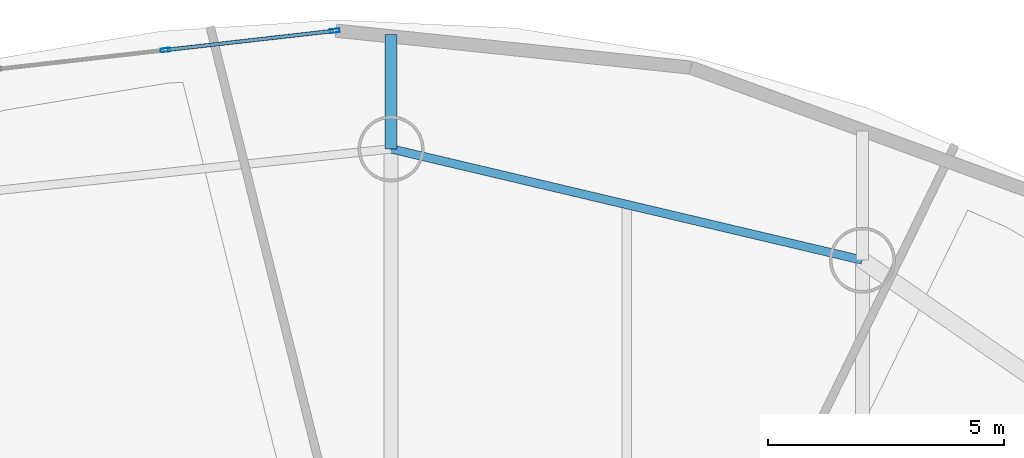
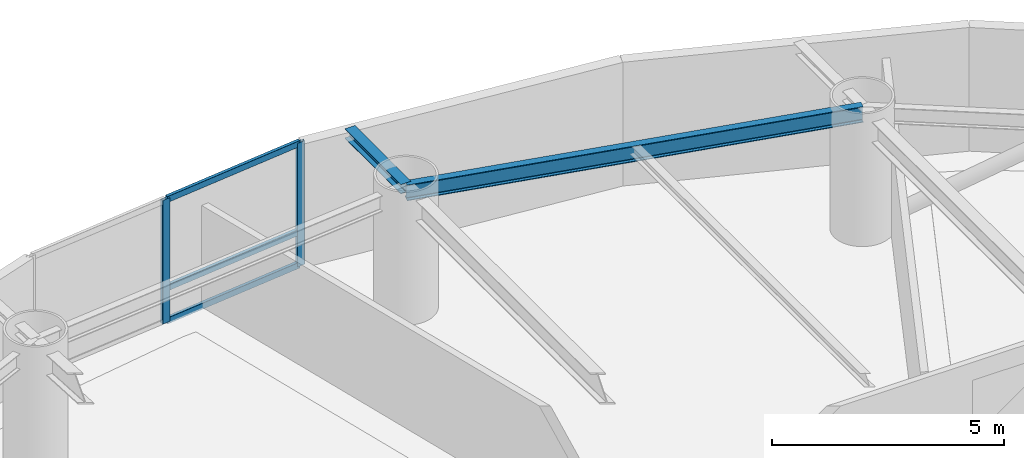
# One storey, part 13 of 22: 5 members, 2 beams, 1 element without a shape of its own.
"""IFC4 building model written with IfcOpenShell, lengths in metres."""

from ifc_helpers import new_model, si_unit, direction, frame, origin, origin_2d, place, context, subcontext, project, spatial, hollow_rectangle, i_section, extrude, material, layer, layer_set, material_profile, profile_set, type_object, element, aggregate, save


model = new_model("IFC4")

# Units and contexts
model_context = context("Model", 3, precision=1e-05, world=origin(), true_north=direction((0.0, 1.0)))
body_context = subcontext(model_context, "Body", "Model", "MODEL_VIEW")
ifc_project = project(units=[si_unit("LENGTHUNIT", "METRE"), si_unit("AREAUNIT", "SQUARE_METRE"), si_unit("VOLUMEUNIT", "CUBIC_METRE"), si_unit("PLANEANGLEUNIT", "RADIAN"), si_unit("MASSUNIT", "GRAM", prefix="KILO")], contexts=[model_context])

# Site, building, storey
site_placement = place(None, origin())
site = spatial("IfcSite", under=ifc_project, at=site_placement, CompositionType="ELEMENT")
building_placement = place(site_placement, origin())
building = spatial("IfcBuilding", under=site, at=building_placement, Name="Bramvorn Convention Spire", CompositionType="ELEMENT")
storey_placement = place(building_placement, frame((0.0, 0.0, 141.300048828125)))
storey = spatial("IfcBuildingStorey", under=building, at=storey_placement, Name="L35", CompositionType="ELEMENT", Elevation=141.300048828125)

# Beams
ifc_material_1 = material(Name="Steel CSA G40.21 Grade 350 (350W)", Category="steel")
ifc_material_profile_1 = material_profile(ifc_material_1, i_section(OverallWidth=0.25390625, OverallDepth=0.2529296875, WebThickness=0.008544921875, FlangeThickness=0.01416015625, FilletRadius=0.011962890625, at=origin_2d()))
ifc_profile_set_1 = profile_set([ifc_material_profile_1], Name="Steel CSA G40.21 Grade 350 (350W) - W250X73")
beam_type_1 = type_object("IfcBeamType", Name="BM-W250X73", PredefinedType="BEAM", material=ifc_profile_set_1)
beam_1_placement = place(storey_placement, frame((36.075927734375, 46.517333984375, 3.133544921875), z_axis=(0.0, 1.0, 0.0), x_axis=(-1.0, 0.0, 0.0)))
element("IfcBeam", 1, at=beam_1_placement, inside=storey, type_object=beam_type_1, Name="L35 slab-edge cantilever tip beam MC06", PredefinedType="BEAM", context=body_context, shape_type="SweptSolid", body=[
    extrude(i_section(OverallWidth=0.25390625, OverallDepth=0.2529296875, WebThickness=0.008544921875, FlangeThickness=0.01416015625, FilletRadius=0.011962890625, at=origin_2d()), origin(), (0.0, 0.0, 1.0), 2.423095703125),
])
ifc_material_profile_2 = material_profile(ifc_material_1, i_section(OverallWidth=0.180908203125, OverallDepth=0.4169921875, WebThickness=0.010986328125, FlangeThickness=0.018310546875, FilletRadius=0.01611328125, at=origin_2d()))
ifc_profile_set_2 = profile_set([ifc_material_profile_2], Name="Steel CSA G40.21 Grade 350 (350W) - W410X85")
beam_type_2 = type_object("IfcBeamType", Name="BM-W410X85", PredefinedType="JOIST", material=ifc_profile_set_2)
beam_2_placement = place(storey_placement, frame((46.082763671875, 44.154052734375, 3.051513671875), z_axis=(-0.97322750491, 0.229843911572, 0.0), x_axis=(-0.229843911572, -0.97322750491, 0.0)))
element("IfcBeam", 2, at=beam_2_placement, inside=storey, type_object=beam_type_2, Name="L35 mega-column ring beam 05", PredefinedType="JOIST", context=body_context, shape_type="SweptSolid", body=[
    extrude(i_section(OverallWidth=0.180908203125, OverallDepth=0.4169921875, WebThickness=0.010986328125, FlangeThickness=0.018310546875, FilletRadius=0.01611328125, at=origin_2d()), origin(), (0.0, 0.0, 1.0), 10.2822265625),
])

# Curtain wall, members
ifc_material_2 = material(Name="Anodised Bronze Unitised Curtain Wall", Category="aluminium")
ifc_layer = layer(ifc_material_2, 0.179931640625)
ifc_layer_set = layer_set([ifc_layer], Name="Anodised Bronze Unitised Curtain Wall - CW-HTL-FRIT")
curtain_wall_type = type_object("IfcCurtainWallType", Name="CW-HTL-FRIT", PredefinedType="USERDEFINED", material=ifc_layer_set)
curtain_wall_placement = place(storey_placement, origin())
curtain_wall = element("IfcCurtainWall", 3, at=curtain_wall_placement, inside=storey, type_object=curtain_wall_type, Name="L35 fritted glass curtain wall 09", ObjectType="UNITISED CURTAIN WALL", PredefinedType="USERDEFINED")
ifc_material_3 = material(Name="Anodised Bronze Aluminium 6063-T6", Category="aluminium")
ifc_material_profile_3 = material_profile(ifc_material_3, hollow_rectangle(XDim=0.080078125, YDim=0.199951171875, WallThickness=0.00390625, InnerFilletRadius=0.0009765625, OuterFilletRadius=0.00390625, at=origin_2d()))
ifc_profile_set_3 = profile_set([ifc_material_profile_3], Name="Anodised Bronze Aluminium 6063-T6 - CWM80X200")
member_type_1 = type_object("IfcMemberType", Name="CW-MUL-180", PredefinedType="MULLION", material=ifc_profile_set_3)
member_1_placement = place(storey_placement, frame((31.287109375, 48.615234375, 0.0), z_axis=(0.0, 0.0, 1.0), x_axis=(-0.112770294972, 0.993621085008, 0.0)))
member_1 = element("IfcMember", 4, at=member_1_placement, type_object=member_type_1, Name="CW2 mullion 2", PredefinedType="MULLION", context=body_context, shape_type="SweptSolid", body=[
    extrude(hollow_rectangle(XDim=0.080078125, YDim=0.199951171875, WallThickness=0.00390625, InnerFilletRadius=0.0009765625, OuterFilletRadius=0.00390625, at=origin_2d()), origin(), (0.0, 0.0, 1.0), 3.260009765625),
])
member_2_placement = place(storey_placement, frame((34.8798828125, 49.02294921875, 0.0), z_axis=(0.0, 0.0, 1.0), x_axis=(-0.112770294972, 0.993621085008, 0.0)))
member_2 = element("IfcMember", 5, at=member_2_placement, type_object=member_type_1, Name="CW2 mullion 3", PredefinedType="MULLION", context=body_context, shape_type="SweptSolid", body=[
    extrude(hollow_rectangle(XDim=0.080078125, YDim=0.199951171875, WallThickness=0.00390625, InnerFilletRadius=0.0009765625, OuterFilletRadius=0.00390625, at=origin_2d()), origin(), (0.0, 0.0, 1.0), 3.260009765625),
])
ifc_material_profile_4 = material_profile(ifc_material_3, hollow_rectangle(XDim=0.080078125, YDim=0.159912109375, WallThickness=0.00390625, InnerFilletRadius=0.0009765625, OuterFilletRadius=0.00390625, at=origin_2d()))
ifc_profile_set_4 = profile_set([ifc_material_profile_4], Name="Anodised Bronze Aluminium 6063-T6 - CWT80X160")
member_type_2 = type_object("IfcMemberType", Name="CW-TRN-150", PredefinedType="USERDEFINED", material=ifc_profile_set_4)
member_3_placement = place(storey_placement, frame((31.31689453125, 48.61865234375, 0.030029296875), z_axis=(0.993624846501, 0.112737147454, 0.0), x_axis=(-0.112737147454, 0.993624846501, 0.0)))
member_3 = element("IfcMember", 6, at=member_3_placement, type_object=member_type_2, Name="CW2 transom 2.1", ObjectType="TRANSOM", PredefinedType="USERDEFINED", context=body_context, shape_type="SweptSolid", body=[
    extrude(hollow_rectangle(XDim=0.080078125, YDim=0.159912109375, WallThickness=0.00390625, InnerFilletRadius=0.0009765625, OuterFilletRadius=0.00390625, at=origin_2d()), origin(), (0.0, 0.0, 1.0), 3.555908203125),
])
member_4_placement = place(storey_placement, frame((31.31689453125, 48.61865234375, 0.89990234375), z_axis=(0.993624846501, 0.112737147454, 0.0), x_axis=(-0.112737147454, 0.993624846501, 0.0)))
member_4 = element("IfcMember", 7, at=member_4_placement, type_object=member_type_2, Name="CW2 transom 2.2", ObjectType="TRANSOM", PredefinedType="USERDEFINED", context=body_context, shape_type="SweptSolid", body=[
    extrude(hollow_rectangle(XDim=0.080078125, YDim=0.159912109375, WallThickness=0.00390625, InnerFilletRadius=0.0009765625, OuterFilletRadius=0.00390625, at=origin_2d()), origin(), (0.0, 0.0, 1.0), 3.555908203125),
])
member_5_placement = place(storey_placement, frame((31.31689453125, 48.61865234375, 3.22998046875), z_axis=(0.993624846501, 0.112737147454, 0.0), x_axis=(-0.112737147454, 0.993624846501, 0.0)))
member_5 = element("IfcMember", 8, at=member_5_placement, type_object=member_type_2, Name="CW2 transom 2.3", ObjectType="TRANSOM", PredefinedType="USERDEFINED", context=body_context, shape_type="SweptSolid", body=[
    extrude(hollow_rectangle(XDim=0.080078125, YDim=0.159912109375, WallThickness=0.00390625, InnerFilletRadius=0.0009765625, OuterFilletRadius=0.00390625, at=origin_2d()), origin(), (0.0, 0.0, 1.0), 3.555908203125),
])
aggregate(curtain_wall, [member_1, member_2, member_3, member_4, member_5])

save(model, "model.ifc")
